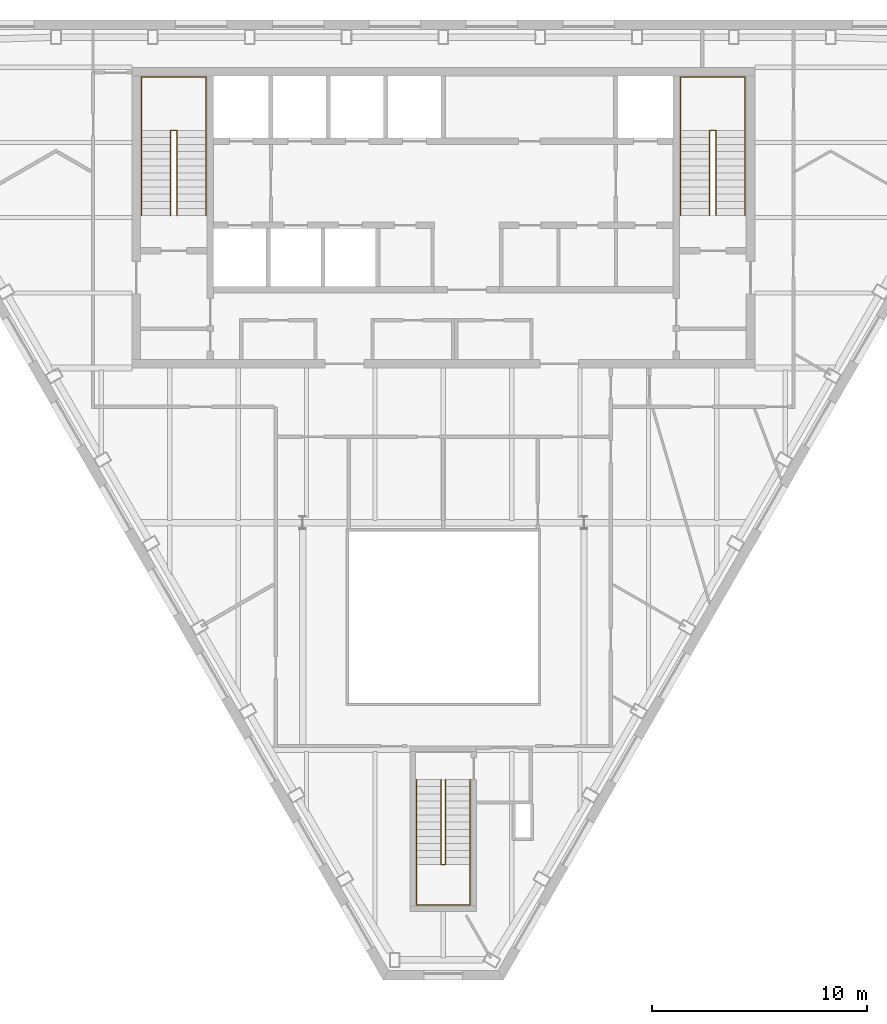
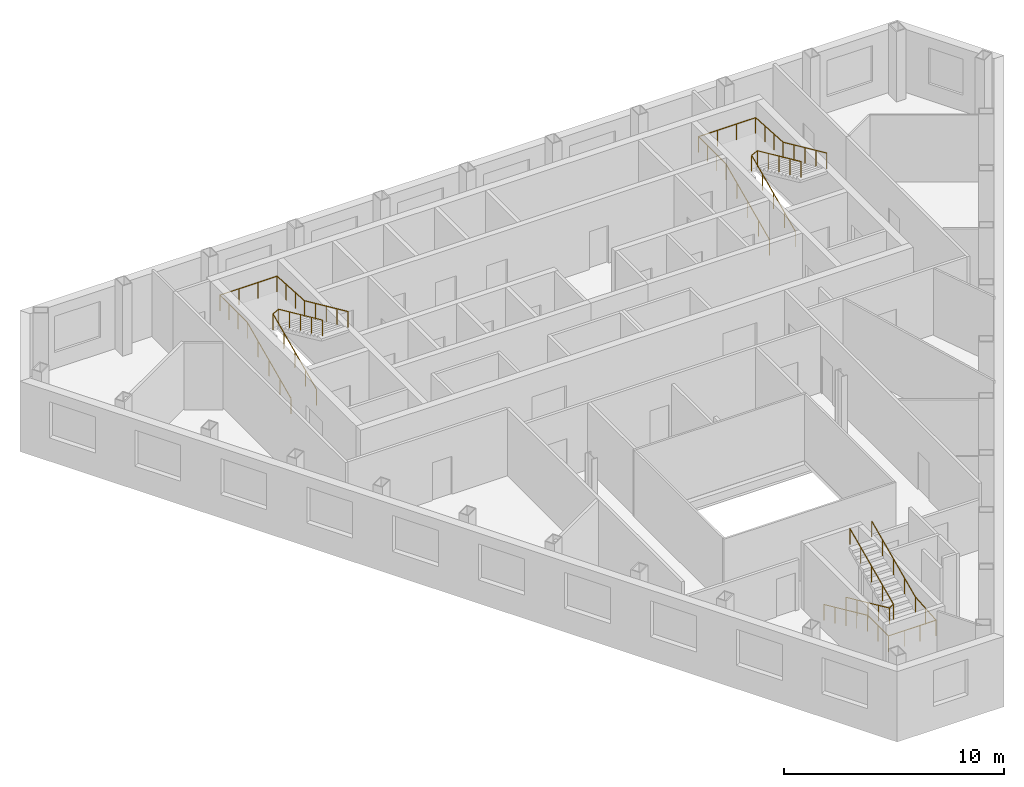
# One storey, part 10 of 10: 6 railings.
"""IFC4 building model written with IfcOpenShell, lengths in metres."""

from ifc_helpers import new_model, si_unit, direction, frame, origin, origin_2d, place, context, subcontext, project, spatial, circle, extrude, material, type_object, element, save


model = new_model("IFC4")

# Units and contexts
model_context = context("Model", 3, precision=1e-05, world=origin(), true_north=direction((0.0, 1.0)))
body_context = subcontext(model_context, "Body", "Model", "MODEL_VIEW")
ifc_project = project(units=[si_unit("LENGTHUNIT", "METRE"), si_unit("AREAUNIT", "SQUARE_METRE"), si_unit("VOLUMEUNIT", "CUBIC_METRE"), si_unit("PLANEANGLEUNIT", "RADIAN"), si_unit("MASSUNIT", "GRAM", prefix="KILO")], contexts=[model_context])

# Site, building, storey
site_placement = place(None, origin())
site = spatial("IfcSite", under=ifc_project, at=site_placement, CompositionType="ELEMENT")
building_placement = place(site_placement, origin())
building = spatial("IfcBuilding", under=site, at=building_placement, Name="Njiva Tower", CompositionType="ELEMENT")
storey_placement = place(building_placement, frame((0.0, 0.0, 272.7)))
storey = spatial("IfcBuildingStorey", under=building, at=storey_placement, Name="L62", CompositionType="ELEMENT", Elevation=272.7)

# Railings
ifc_material = material(Name="Stainless steel", Category="steel")
railing_type = type_object("IfcRailingType", Name="RL1 Stair handrail 900", PredefinedType="HANDRAIL", material=ifc_material)
railing_1_placement = place(storey_placement, frame((-14.05, 11.1, 0.15)))
element("IfcRailing", 1, at=railing_1_placement, inside=storey, type_object=railing_type, Name="Stair A handrail", PredefinedType="HANDRAIL", context=body_context, shape_type="SweptSolid", body=[
    extrude(circle(Radius=0.024, at=origin_2d()), frame((0.0, 0.0, 0.876), z_axis=(0.0, 0.910366477463, 0.413802944301), x_axis=(-1.0, 0.0, 0.0)), (0.0, 0.0, 1.0), 4.3499),
    extrude(circle(Radius=0.024, at=origin_2d()), frame((0.0, 3.96, 2.676), z_axis=(0.0, 1.0, 0.0), x_axis=(-1.0, 0.0, 0.0)), (0.0, 0.0, 1.0), 2.49),
    extrude(circle(Radius=0.024, at=origin_2d()), frame((0.0, 6.45, 2.676), z_axis=(1.0, 0.0, 0.0), x_axis=(0.0, 1.0, 0.0)), (0.0, 0.0, 1.0), 3.0),
    extrude(circle(Radius=0.024, at=origin_2d()), frame((3.0, 6.45, 2.676), z_axis=(0.0, -0.998190436793, 0.060131954024), x_axis=(1.0, 0.0, 0.0)), (0.0, 0.0, 1.0), 2.4945),
    extrude(circle(Radius=0.024, at=origin_2d()), frame((3.0, 3.96, 2.826), z_axis=(0.0, -0.910366477463, 0.413802944301), x_axis=(1.0, 0.0, 0.0)), (0.0, 0.0, 1.0), 4.3499),
    extrude(circle(Radius=0.021, at=origin_2d()), origin(), (0.0, 0.0, 1.0), 0.852),
    extrude(circle(Radius=0.021, at=origin_2d()), frame((0.0, 0.99, 0.45)), (0.0, 0.0, 1.0), 0.852),
    extrude(circle(Radius=0.021, at=origin_2d()), frame((0.0, 1.98, 0.9)), (0.0, 0.0, 1.0), 0.852),
    extrude(circle(Radius=0.021, at=origin_2d()), frame((0.0, 2.97, 1.35)), (0.0, 0.0, 1.0), 0.852),
    extrude(circle(Radius=0.021, at=origin_2d()), frame((0.0, 3.96, 1.8)), (0.0, 0.0, 1.0), 0.852),
    extrude(circle(Radius=0.021, at=origin_2d()), frame((0.0, 4.79, 1.8)), (0.0, 0.0, 1.0), 0.852),
    extrude(circle(Radius=0.021, at=origin_2d()), frame((0.0, 5.62, 1.8)), (0.0, 0.0, 1.0), 0.852),
    extrude(circle(Radius=0.021, at=origin_2d()), frame((0.0, 6.45, 1.8)), (0.0, 0.0, 1.0), 0.852),
    extrude(circle(Radius=0.021, at=origin_2d()), frame((1.0, 6.45, 1.8)), (0.0, 0.0, 1.0), 0.852),
    extrude(circle(Radius=0.021, at=origin_2d()), frame((2.0, 6.45, 1.8)), (0.0, 0.0, 1.0), 0.852),
    extrude(circle(Radius=0.021, at=origin_2d()), frame((3.0, 6.45, 1.8)), (0.0, 0.0, 1.0), 0.852),
    extrude(circle(Radius=0.021, at=origin_2d()), frame((3.0, 5.62, 1.85)), (0.0, 0.0, 1.0), 0.852),
    extrude(circle(Radius=0.021, at=origin_2d()), frame((3.0, 4.79, 1.9)), (0.0, 0.0, 1.0), 0.852),
    extrude(circle(Radius=0.021, at=origin_2d()), frame((3.0, 3.96, 1.95)), (0.0, 0.0, 1.0), 0.852),
    extrude(circle(Radius=0.021, at=origin_2d()), frame((3.0, 2.97, 2.4)), (0.0, 0.0, 1.0), 0.852),
    extrude(circle(Radius=0.021, at=origin_2d()), frame((3.0, 1.98, 2.85)), (0.0, 0.0, 1.0), 0.852),
    extrude(circle(Radius=0.021, at=origin_2d()), frame((3.0, 0.99, 3.3)), (0.0, 0.0, 1.0), 0.852),
    extrude(circle(Radius=0.021, at=origin_2d()), frame((3.0, 0.0, 3.75)), (0.0, 0.0, 1.0), 0.852),
])
railing_2_placement = place(storey_placement, frame((-12.7, 11.1, 0.15)))
element("IfcRailing", 2, at=railing_2_placement, inside=storey, type_object=railing_type, Name="Stair A handrail", PredefinedType="HANDRAIL", context=body_context, shape_type="SweptSolid", body=[
    extrude(circle(Radius=0.024, at=origin_2d()), frame((0.0, 0.0, 0.876), z_axis=(0.0, 0.910366477463, 0.413802944301), x_axis=(-1.0, 0.0, 0.0)), (0.0, 0.0, 1.0), 4.3499),
    extrude(circle(Radius=0.024, at=origin_2d()), frame((0.0, 3.96, 2.676), z_axis=(0.894427191, 0.0, 0.4472135955), x_axis=(0.0, 1.0, 0.0)), (0.0, 0.0, 1.0), 0.3354),
    extrude(circle(Radius=0.024, at=origin_2d()), frame((0.3, 3.96, 2.826), z_axis=(0.0, -0.910366477463, 0.413802944301), x_axis=(1.0, 0.0, 0.0)), (0.0, 0.0, 1.0), 4.3499),
    extrude(circle(Radius=0.021, at=origin_2d()), origin(), (0.0, 0.0, 1.0), 0.852),
    extrude(circle(Radius=0.021, at=origin_2d()), frame((0.0, 0.99, 0.45)), (0.0, 0.0, 1.0), 0.852),
    extrude(circle(Radius=0.021, at=origin_2d()), frame((0.0, 1.98, 0.9)), (0.0, 0.0, 1.0), 0.852),
    extrude(circle(Radius=0.021, at=origin_2d()), frame((0.0, 2.97, 1.35)), (0.0, 0.0, 1.0), 0.852),
    extrude(circle(Radius=0.021, at=origin_2d()), frame((0.0, 3.96, 1.8)), (0.0, 0.0, 1.0), 0.852),
    extrude(circle(Radius=0.021, at=origin_2d()), frame((0.3, 3.96, 1.95)), (0.0, 0.0, 1.0), 0.852),
    extrude(circle(Radius=0.021, at=origin_2d()), frame((0.3, 2.97, 2.4)), (0.0, 0.0, 1.0), 0.852),
    extrude(circle(Radius=0.021, at=origin_2d()), frame((0.3, 1.98, 2.85)), (0.0, 0.0, 1.0), 0.852),
    extrude(circle(Radius=0.021, at=origin_2d()), frame((0.3, 0.99, 3.3)), (0.0, 0.0, 1.0), 0.852),
    extrude(circle(Radius=0.021, at=origin_2d()), frame((0.3, 0.0, 3.75)), (0.0, 0.0, 1.0), 0.852),
])
railing_3_placement = place(storey_placement, frame((11.05, 11.1, 0.15)))
element("IfcRailing", 3, at=railing_3_placement, inside=storey, type_object=railing_type, Name="Stair B handrail", PredefinedType="HANDRAIL", context=body_context, shape_type="SweptSolid", body=[
    extrude(circle(Radius=0.024, at=origin_2d()), frame((0.0, 0.0, 0.876), z_axis=(0.0, 0.910366477463, 0.413802944301), x_axis=(-1.0, 0.0, 0.0)), (0.0, 0.0, 1.0), 4.3499),
    extrude(circle(Radius=0.024, at=origin_2d()), frame((0.0, 3.96, 2.676), z_axis=(0.0, 1.0, 0.0), x_axis=(-1.0, 0.0, 0.0)), (0.0, 0.0, 1.0), 2.49),
    extrude(circle(Radius=0.024, at=origin_2d()), frame((0.0, 6.45, 2.676), z_axis=(1.0, 0.0, 0.0), x_axis=(0.0, 1.0, 0.0)), (0.0, 0.0, 1.0), 3.0),
    extrude(circle(Radius=0.024, at=origin_2d()), frame((3.0, 6.45, 2.676), z_axis=(0.0, -0.998190436793, 0.060131954024), x_axis=(1.0, 0.0, 0.0)), (0.0, 0.0, 1.0), 2.4945),
    extrude(circle(Radius=0.024, at=origin_2d()), frame((3.0, 3.96, 2.826), z_axis=(0.0, -0.910366477463, 0.413802944301), x_axis=(1.0, 0.0, 0.0)), (0.0, 0.0, 1.0), 4.3499),
    extrude(circle(Radius=0.021, at=origin_2d()), origin(), (0.0, 0.0, 1.0), 0.852),
    extrude(circle(Radius=0.021, at=origin_2d()), frame((0.0, 0.99, 0.45)), (0.0, 0.0, 1.0), 0.852),
    extrude(circle(Radius=0.021, at=origin_2d()), frame((0.0, 1.98, 0.9)), (0.0, 0.0, 1.0), 0.852),
    extrude(circle(Radius=0.021, at=origin_2d()), frame((0.0, 2.97, 1.35)), (0.0, 0.0, 1.0), 0.852),
    extrude(circle(Radius=0.021, at=origin_2d()), frame((0.0, 3.96, 1.8)), (0.0, 0.0, 1.0), 0.852),
    extrude(circle(Radius=0.021, at=origin_2d()), frame((0.0, 4.79, 1.8)), (0.0, 0.0, 1.0), 0.852),
    extrude(circle(Radius=0.021, at=origin_2d()), frame((0.0, 5.62, 1.8)), (0.0, 0.0, 1.0), 0.852),
    extrude(circle(Radius=0.021, at=origin_2d()), frame((0.0, 6.45, 1.8)), (0.0, 0.0, 1.0), 0.852),
    extrude(circle(Radius=0.021, at=origin_2d()), frame((1.0, 6.45, 1.8)), (0.0, 0.0, 1.0), 0.852),
    extrude(circle(Radius=0.021, at=origin_2d()), frame((2.0, 6.45, 1.8)), (0.0, 0.0, 1.0), 0.852),
    extrude(circle(Radius=0.021, at=origin_2d()), frame((3.0, 6.45, 1.8)), (0.0, 0.0, 1.0), 0.852),
    extrude(circle(Radius=0.021, at=origin_2d()), frame((3.0, 5.62, 1.85)), (0.0, 0.0, 1.0), 0.852),
    extrude(circle(Radius=0.021, at=origin_2d()), frame((3.0, 4.79, 1.9)), (0.0, 0.0, 1.0), 0.852),
    extrude(circle(Radius=0.021, at=origin_2d()), frame((3.0, 3.96, 1.95)), (0.0, 0.0, 1.0), 0.852),
    extrude(circle(Radius=0.021, at=origin_2d()), frame((3.0, 2.97, 2.4)), (0.0, 0.0, 1.0), 0.852),
    extrude(circle(Radius=0.021, at=origin_2d()), frame((3.0, 1.98, 2.85)), (0.0, 0.0, 1.0), 0.852),
    extrude(circle(Radius=0.021, at=origin_2d()), frame((3.0, 0.99, 3.3)), (0.0, 0.0, 1.0), 0.852),
    extrude(circle(Radius=0.021, at=origin_2d()), frame((3.0, 0.0, 3.75)), (0.0, 0.0, 1.0), 0.852),
])
railing_4_placement = place(storey_placement, frame((12.4, 11.1, 0.15)))
element("IfcRailing", 4, at=railing_4_placement, inside=storey, type_object=railing_type, Name="Stair B handrail", PredefinedType="HANDRAIL", context=body_context, shape_type="SweptSolid", body=[
    extrude(circle(Radius=0.024, at=origin_2d()), frame((0.0, 0.0, 0.876), z_axis=(0.0, 0.910366477463, 0.413802944301), x_axis=(-1.0, 0.0, 0.0)), (0.0, 0.0, 1.0), 4.3499),
    extrude(circle(Radius=0.024, at=origin_2d()), frame((0.0, 3.96, 2.676), z_axis=(0.894427191, 0.0, 0.4472135955), x_axis=(0.0, 1.0, 0.0)), (0.0, 0.0, 1.0), 0.3354),
    extrude(circle(Radius=0.024, at=origin_2d()), frame((0.3, 3.96, 2.826), z_axis=(0.0, -0.910366477463, 0.413802944301), x_axis=(1.0, 0.0, 0.0)), (0.0, 0.0, 1.0), 4.3499),
    extrude(circle(Radius=0.021, at=origin_2d()), origin(), (0.0, 0.0, 1.0), 0.852),
    extrude(circle(Radius=0.021, at=origin_2d()), frame((0.0, 0.99, 0.45)), (0.0, 0.0, 1.0), 0.852),
    extrude(circle(Radius=0.021, at=origin_2d()), frame((0.0, 1.98, 0.9)), (0.0, 0.0, 1.0), 0.852),
    extrude(circle(Radius=0.021, at=origin_2d()), frame((0.0, 2.97, 1.35)), (0.0, 0.0, 1.0), 0.852),
    extrude(circle(Radius=0.021, at=origin_2d()), frame((0.0, 3.96, 1.8)), (0.0, 0.0, 1.0), 0.852),
    extrude(circle(Radius=0.021, at=origin_2d()), frame((0.3, 3.96, 1.95)), (0.0, 0.0, 1.0), 0.852),
    extrude(circle(Radius=0.021, at=origin_2d()), frame((0.3, 2.97, 2.4)), (0.0, 0.0, 1.0), 0.852),
    extrude(circle(Radius=0.021, at=origin_2d()), frame((0.3, 1.98, 2.85)), (0.0, 0.0, 1.0), 0.852),
    extrude(circle(Radius=0.021, at=origin_2d()), frame((0.3, 0.99, 3.3)), (0.0, 0.0, 1.0), 0.852),
    extrude(circle(Radius=0.021, at=origin_2d()), frame((0.3, 0.0, 3.75)), (0.0, 0.0, 1.0), 0.852),
])
railing_5_placement = place(storey_placement, frame((-1.25, -15.16, 0.15)))
element("IfcRailing", 5, at=railing_5_placement, inside=storey, type_object=railing_type, Name="Stair C handrail", PredefinedType="HANDRAIL", context=body_context, shape_type="SweptSolid", body=[
    extrude(circle(Radius=0.024, at=origin_2d()), frame((0.0, 0.0, 0.876), z_axis=(0.0, -0.910366477463, 0.413802944301), x_axis=(1.0, 0.0, 0.0)), (0.0, 0.0, 1.0), 4.3499),
    extrude(circle(Radius=0.024, at=origin_2d()), frame((0.0, -3.96, 2.676), z_axis=(0.0, -1.0, 0.0), x_axis=(1.0, 0.0, 0.0)), (0.0, 0.0, 1.0), 1.88),
    extrude(circle(Radius=0.024, at=origin_2d()), frame((0.0, -5.84, 2.676), z_axis=(1.0, 0.0, 0.0), x_axis=(0.0, 1.0, 0.0)), (0.0, 0.0, 1.0), 2.5),
    extrude(circle(Radius=0.024, at=origin_2d()), frame((2.5, -5.84, 2.676), z_axis=(0.0, 0.996832115713, 0.079534477318), x_axis=(-1.0, 0.0, 0.0)), (0.0, 0.0, 1.0), 1.886),
    extrude(circle(Radius=0.024, at=origin_2d()), frame((2.5, -3.96, 2.826), z_axis=(0.0, 0.910366477463, 0.413802944301), x_axis=(-1.0, 0.0, 0.0)), (0.0, 0.0, 1.0), 4.3499),
    extrude(circle(Radius=0.021, at=origin_2d()), origin(), (0.0, 0.0, 1.0), 0.852),
    extrude(circle(Radius=0.021, at=origin_2d()), frame((0.0, -0.99, 0.45)), (0.0, 0.0, 1.0), 0.852),
    extrude(circle(Radius=0.021, at=origin_2d()), frame((0.0, -1.98, 0.9)), (0.0, 0.0, 1.0), 0.852),
    extrude(circle(Radius=0.021, at=origin_2d()), frame((0.0, -2.97, 1.35)), (0.0, 0.0, 1.0), 0.852),
    extrude(circle(Radius=0.021, at=origin_2d()), frame((0.0, -3.96, 1.8)), (0.0, 0.0, 1.0), 0.852),
    extrude(circle(Radius=0.021, at=origin_2d()), frame((0.0, -4.9, 1.8)), (0.0, 0.0, 1.0), 0.852),
    extrude(circle(Radius=0.021, at=origin_2d()), frame((0.0, -5.84, 1.8)), (0.0, 0.0, 1.0), 0.852),
    extrude(circle(Radius=0.021, at=origin_2d()), frame((0.8333, -5.84, 1.8)), (0.0, 0.0, 1.0), 0.852),
    extrude(circle(Radius=0.021, at=origin_2d()), frame((1.6667, -5.84, 1.8)), (0.0, 0.0, 1.0), 0.852),
    extrude(circle(Radius=0.021, at=origin_2d()), frame((2.5, -5.84, 1.8)), (0.0, 0.0, 1.0), 0.852),
    extrude(circle(Radius=0.021, at=origin_2d()), frame((2.5, -4.9, 1.875)), (0.0, 0.0, 1.0), 0.852),
    extrude(circle(Radius=0.021, at=origin_2d()), frame((2.5, -3.96, 1.95)), (0.0, 0.0, 1.0), 0.852),
    extrude(circle(Radius=0.021, at=origin_2d()), frame((2.5, -2.97, 2.4)), (0.0, 0.0, 1.0), 0.852),
    extrude(circle(Radius=0.021, at=origin_2d()), frame((2.5, -1.98, 2.85)), (0.0, 0.0, 1.0), 0.852),
    extrude(circle(Radius=0.021, at=origin_2d()), frame((2.5, -0.99, 3.3)), (0.0, 0.0, 1.0), 0.852),
    extrude(circle(Radius=0.021, at=origin_2d()), frame((2.5, 0.0, 3.75)), (0.0, 0.0, 1.0), 0.852),
])
railing_6_placement = place(storey_placement, frame((-0.1, -15.16, 0.15)))
element("IfcRailing", 6, at=railing_6_placement, inside=storey, type_object=railing_type, Name="Stair C handrail", PredefinedType="HANDRAIL", context=body_context, shape_type="SweptSolid", body=[
    extrude(circle(Radius=0.024, at=origin_2d()), frame((0.0, 0.0, 0.876), z_axis=(0.0, -0.910366477463, 0.413802944301), x_axis=(1.0, 0.0, 0.0)), (0.0, 0.0, 1.0), 4.3499),
    extrude(circle(Radius=0.024, at=origin_2d()), frame((0.0, -3.96, 2.676), z_axis=(0.8, 0.0, 0.6), x_axis=(0.0, 1.0, 0.0)), (0.0, 0.0, 1.0), 0.25),
    extrude(circle(Radius=0.024, at=origin_2d()), frame((0.2, -3.96, 2.826), z_axis=(0.0, 0.910366477463, 0.413802944301), x_axis=(-1.0, 0.0, 0.0)), (0.0, 0.0, 1.0), 4.3499),
    extrude(circle(Radius=0.021, at=origin_2d()), origin(), (0.0, 0.0, 1.0), 0.852),
    extrude(circle(Radius=0.021, at=origin_2d()), frame((0.0, -0.99, 0.45)), (0.0, 0.0, 1.0), 0.852),
    extrude(circle(Radius=0.021, at=origin_2d()), frame((0.0, -1.98, 0.9)), (0.0, 0.0, 1.0), 0.852),
    extrude(circle(Radius=0.021, at=origin_2d()), frame((0.0, -2.97, 1.35)), (0.0, 0.0, 1.0), 0.852),
    extrude(circle(Radius=0.021, at=origin_2d()), frame((0.0, -3.96, 1.8)), (0.0, 0.0, 1.0), 0.852),
    extrude(circle(Radius=0.021, at=origin_2d()), frame((0.2, -3.96, 1.95)), (0.0, 0.0, 1.0), 0.852),
    extrude(circle(Radius=0.021, at=origin_2d()), frame((0.2, -2.97, 2.4)), (0.0, 0.0, 1.0), 0.852),
    extrude(circle(Radius=0.021, at=origin_2d()), frame((0.2, -1.98, 2.85)), (0.0, 0.0, 1.0), 0.852),
    extrude(circle(Radius=0.021, at=origin_2d()), frame((0.2, -0.99, 3.3)), (0.0, 0.0, 1.0), 0.852),
    extrude(circle(Radius=0.021, at=origin_2d()), frame((0.2, 0.0, 3.75)), (0.0, 0.0, 1.0), 0.852),
])

save(model, "model.ifc")
